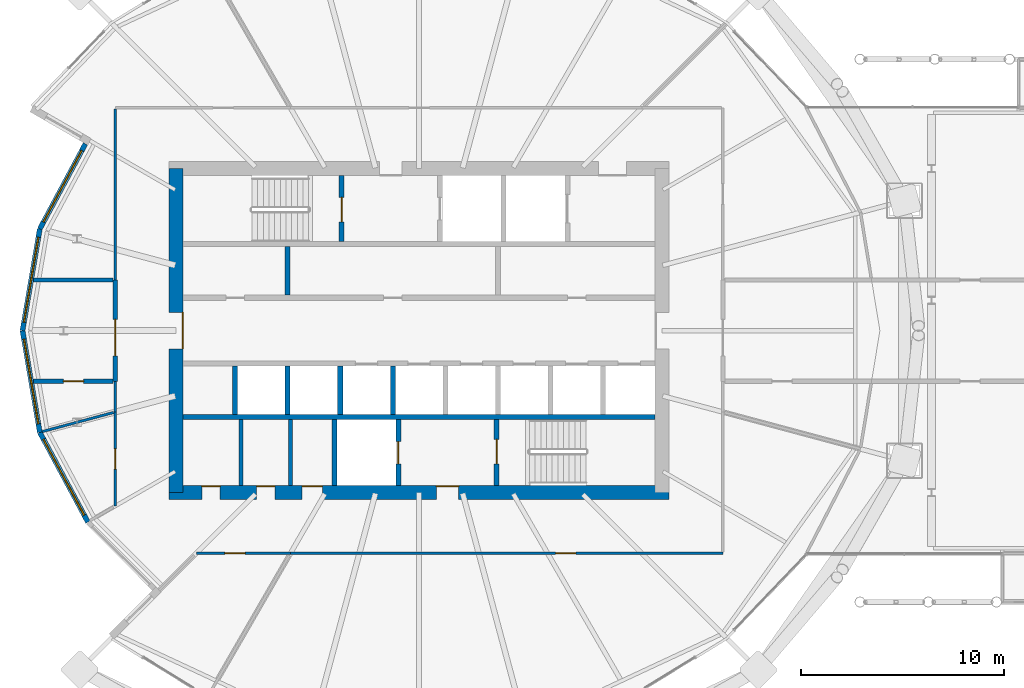
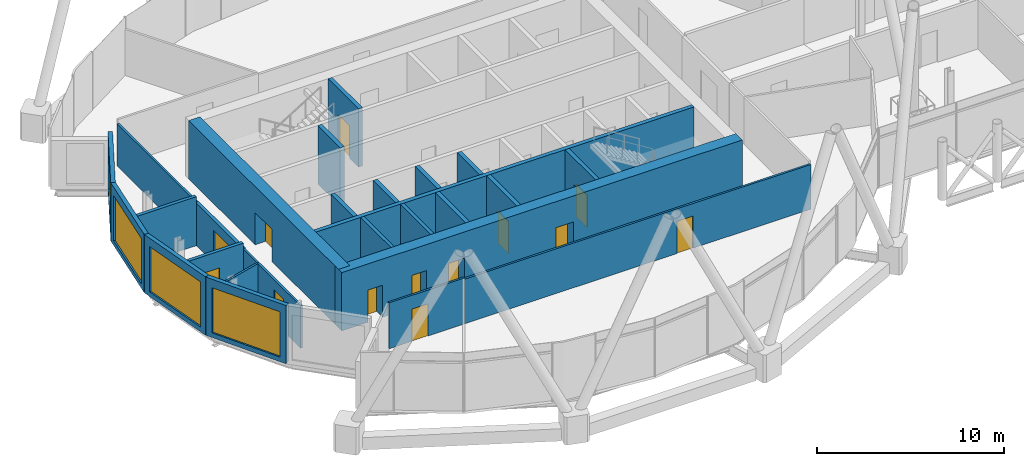
# One storey, part 24 of 35: 27 walls, 13 doors, 4 windows, 17 openings.
"""IFC4 building model written with IfcOpenShell, lengths in metres."""

from ifc_helpers import new_model, si_unit, direction, frame, frame_2d, origin, place, context, subcontext, project, spatial, rectangle, extrude, material, layer, layer_set, type_object, element, fill, save


model = new_model("IFC4")

# Units and contexts
model_context = context("Model", 3, precision=1e-05, world=origin(), true_north=direction((0.0, 1.0)))
body_context = subcontext(model_context, "Body", "Model", "MODEL_VIEW")
ifc_project = project(units=[si_unit("LENGTHUNIT", "METRE"), si_unit("AREAUNIT", "SQUARE_METRE"), si_unit("VOLUMEUNIT", "CUBIC_METRE"), si_unit("PLANEANGLEUNIT", "RADIAN"), si_unit("MASSUNIT", "GRAM", prefix="KILO")], contexts=[model_context])

# Site, building, storey
site_placement = place(None, origin())
site = spatial("IfcSite", under=ifc_project, at=site_placement, CompositionType="ELEMENT")
building_placement = place(site_placement, origin())
building = spatial("IfcBuilding", under=site, at=building_placement, Name="Rimbun Link Towers", CompositionType="ELEMENT")
storey_placement = place(building_placement, frame((0.0, 0.0, 146.800048828125)))
storey = spatial("IfcBuildingStorey", under=building, at=storey_placement, Name="L35", CompositionType="ELEMENT", Elevation=146.800048828125)

# Wall, opening, window
ifc_material_1 = material(Name="Dark enamelled glass spandrel on insulated aluminium backpan", Category="aluminium")
ifc_layer_1 = layer(ifc_material_1, 0.25)
ifc_layer_set_1 = layer_set([ifc_layer_1], Name="CS dark enamelled spandrel wall 250")
wall_type_1 = type_object("IfcWallType", Name="CS dark enamelled spandrel wall 250", PredefinedType="STANDARD", material=ifc_layer_set_1)
wall_1_placement = place(storey_placement, frame((-50.4755859375, 5.0263671875, 0.0), z_axis=(0.0, 0.0, 1.0), x_axis=(0.47248174368, 0.881340457422, 0.0)))
wall_1 = element("IfcWall", 1, at=wall_1_placement, inside=storey, type_object=wall_type_1, Name="Crease spandrel wall", PredefinedType="STANDARD", context=body_context, shape_type="SweptSolid", body=[
    extrude(rectangle(XDim=4.76220703125, YDim=0.25, at=frame_2d((2.381103515625, 0.0))), origin(), (0.0, 0.0, 1.0), 3.800048828125),
])
opening_1_placement = place(wall_1_placement, frame((0.381103515625, 0.0, 0.300048828125)))
opening_1 = element("IfcOpeningElement", 2, at=opening_1_placement, cuts=wall_1, Name="Opening WR40H295", PredefinedType="OPENING", context=body_context, shape_type="SweptSolid", body=[
    extrude(rectangle(XDim=4.0, YDim=2.949951171875, at=frame_2d((2.0, 1.47509765625))), frame((0.0, 0.135009765625, 0.0), z_axis=(0.0, -1.0, 0.0), x_axis=(1.0, 0.0, 0.0)), (0.0, 0.0, 1.0), 0.27001953125),
])
ifc_material_2 = material(Name="Aluminium framed fixed window, dark tinted low-e glass", Category="aluminium")
window_type_1 = type_object("IfcWindowType", Name="WR ribbon window 4000X2950", PartitioningType="SINGLE_PANEL", PredefinedType="WINDOW", material=ifc_material_2)
window_1_placement = place(opening_1_placement, origin())
window_1 = element("IfcWindow", 3, at=window_1_placement, inside=storey, type_object=window_type_1, Name="Crease ribbon window", OverallHeight=2.949951171875, OverallWidth=4.0, PartitioningType="SINGLE_PANEL", PredefinedType="WINDOW", context=body_context, shape_type="SweptSolid", body=[
    extrude(rectangle(XDim=4.0, YDim=2.949951171875, at=frame_2d((2.0, 1.47509765625))), frame((0.0, 0.030029296875, 0.0), z_axis=(0.0, -1.0, 0.0), x_axis=(1.0, 0.0, 0.0)), (0.0, 0.0, 1.0), 0.06005859375),
])
fill(opening_1, window_1)

wall_2_placement = place(storey_placement, frame((-51.330322265625, 0.0, 0.0), z_axis=(0.0, 0.0, 1.0), x_axis=(0.167643894896, 0.985847617284, 0.0)))
wall_2 = element("IfcWall", 4, at=wall_2_placement, inside=storey, type_object=wall_type_1, Name="Crease spandrel wall", PredefinedType="STANDARD", context=body_context, shape_type="SweptSolid", body=[
    extrude(rectangle(XDim=5.0986328125, YDim=0.25, at=frame_2d((2.54931640625, 0.0))), origin(), (0.0, 0.0, 1.0), 3.800048828125),
])
opening_2_placement = place(wall_2_placement, frame((0.42431640625, 0.0, 0.300048828125)))
opening_2 = element("IfcOpeningElement", 5, at=opening_2_placement, cuts=wall_2, Name="Opening WR42H295", PredefinedType="OPENING", context=body_context, shape_type="SweptSolid", body=[
    extrude(rectangle(XDim=4.25, YDim=2.949951171875, at=frame_2d((2.125, 1.47509765625))), frame((0.0, 0.135009765625, 0.0), z_axis=(0.0, -1.0, 0.0), x_axis=(1.0, 0.0, 0.0)), (0.0, 0.0, 1.0), 0.27001953125),
])
ifc_material_3 = material(Name="Aluminium framed fixed window, dark tinted low-e glass", Category="aluminium")
window_type_2 = type_object("IfcWindowType", Name="WR ribbon window 4250X2950", PartitioningType="SINGLE_PANEL", PredefinedType="WINDOW", material=ifc_material_3)
window_2_placement = place(opening_2_placement, origin())
window_2 = element("IfcWindow", 6, at=window_2_placement, inside=storey, type_object=window_type_2, Name="Crease ribbon window", OverallHeight=2.949951171875, OverallWidth=4.25, PartitioningType="SINGLE_PANEL", PredefinedType="WINDOW", context=body_context, shape_type="SweptSolid", body=[
    extrude(rectangle(XDim=4.25, YDim=2.949951171875, at=frame_2d((2.125, 1.47509765625))), frame((0.0, 0.030029296875, 0.0), z_axis=(0.0, -1.0, 0.0), x_axis=(1.0, 0.0, 0.0)), (0.0, 0.0, 1.0), 0.06005859375),
])
fill(opening_2, window_2)

wall_3_placement = place(storey_placement, frame((-50.4755859375, -5.0263671875, 0.0), z_axis=(0.0, 0.0, 1.0), x_axis=(-0.167643894896, 0.985847617284, 0.0)))
wall_3 = element("IfcWall", 7, at=wall_3_placement, inside=storey, type_object=wall_type_1, Name="Crease spandrel wall", PredefinedType="STANDARD", context=body_context, shape_type="SweptSolid", body=[
    extrude(rectangle(XDim=5.0986328125, YDim=0.25, at=frame_2d((2.54931640625, 0.0))), origin(), (0.0, 0.0, 1.0), 3.800048828125),
])
opening_3_placement = place(wall_3_placement, frame((0.42431640625, 0.0, 0.300048828125)))
opening_3 = element("IfcOpeningElement", 8, at=opening_3_placement, cuts=wall_3, Name="Opening WR42H295", PredefinedType="OPENING", context=body_context, shape_type="SweptSolid", body=[
    extrude(rectangle(XDim=4.25, YDim=2.949951171875, at=frame_2d((2.125, 1.47509765625))), frame((0.0, 0.135009765625, 0.0), z_axis=(0.0, -1.0, 0.0), x_axis=(1.0, 0.0, 0.0)), (0.0, 0.0, 1.0), 0.27001953125),
])
window_3_placement = place(opening_3_placement, origin())
window_3 = element("IfcWindow", 9, at=window_3_placement, inside=storey, type_object=window_type_2, Name="Crease ribbon window", OverallHeight=2.949951171875, OverallWidth=4.25, PartitioningType="SINGLE_PANEL", PredefinedType="WINDOW", context=body_context, shape_type="SweptSolid", body=[
    extrude(rectangle(XDim=4.25, YDim=2.949951171875, at=frame_2d((2.125, 1.47509765625))), frame((0.0, 0.030029296875, 0.0), z_axis=(0.0, -1.0, 0.0), x_axis=(1.0, 0.0, 0.0)), (0.0, 0.0, 1.0), 0.06005859375),
])
fill(opening_3, window_3)

wall_4_placement = place(storey_placement, frame((-48.1005859375, -9.45654296875, 0.0), z_axis=(0.0, 0.0, 1.0), x_axis=(-0.472482867298, 0.881339855056, 0.0)))
wall_4 = element("IfcWall", 10, at=wall_4_placement, inside=storey, type_object=wall_type_1, Name="Crease spandrel wall", PredefinedType="STANDARD", context=body_context, shape_type="SweptSolid", body=[
    extrude(rectangle(XDim=5.026611328125, YDim=0.25, at=frame_2d((2.51318359375, 0.0))), origin(), (0.0, 0.0, 1.0), 3.800048828125),
])
opening_4_placement = place(wall_4_placement, frame((0.38818359375, 0.0, 0.300048828125)))
opening_4 = element("IfcOpeningElement", 11, at=opening_4_placement, cuts=wall_4, Name="Opening WR42H295", PredefinedType="OPENING", context=body_context, shape_type="SweptSolid", body=[
    extrude(rectangle(XDim=4.25, YDim=2.949951171875, at=frame_2d((2.125, 1.47509765625))), frame((0.0, 0.135009765625, 0.0), z_axis=(0.0, -1.0, 0.0), x_axis=(1.0, 0.0, 0.0)), (0.0, 0.0, 1.0), 0.27001953125),
])
window_4_placement = place(opening_4_placement, origin())
window_4 = element("IfcWindow", 12, at=window_4_placement, inside=storey, type_object=window_type_2, Name="Crease ribbon window", OverallHeight=2.949951171875, OverallWidth=4.25, PartitioningType="SINGLE_PANEL", PredefinedType="WINDOW", context=body_context, shape_type="SweptSolid", body=[
    extrude(rectangle(XDim=4.25, YDim=2.949951171875, at=frame_2d((2.125, 1.47509765625))), frame((0.0, 0.030029296875, 0.0), z_axis=(0.0, -1.0, 0.0), x_axis=(1.0, 0.0, 0.0)), (0.0, 0.0, 1.0), 0.06005859375),
])
fill(opening_4, window_4)

# Walls
ifc_material_4 = material(Name="Masonry blockwork", Category="masonry")
ifc_layer_2 = layer(ifc_material_4, 0.199951171875)
ifc_layer_set_2 = layer_set([ifc_layer_2], Name="Core partition 200")
wall_type_2 = type_object("IfcWallType", Name="Core partition 200", PredefinedType="PARTITIONING", material=ifc_layer_set_2)
for number, where, z_axis, x_axis, name in (
    (13, (-40.550048828125, -4.39990234375, 0.0), (0.0, 0.0, 1.0), (0.0, -1.0, 0.0), "L35 T1 core wall C1"),
    (14, (-38.10009765625, -4.39990234375, 0.0), (0.0, 0.0, 1.0), (0.0, -1.0, 0.0), "L35 T1 core wall C2"),
):
    element("IfcWall", number, at=place(storey_placement, frame(where, z_axis=z_axis, x_axis=x_axis)), inside=storey, type_object=wall_type_2, Name=name, PredefinedType="PARTITIONING", context=body_context, shape_type="SweptSolid", body=[
        extrude(rectangle(XDim=3.25, YDim=0.199951171875, at=frame_2d((1.625, 0.0))), origin(), (0.0, 0.0, 1.0), 3.800048828125),
    ])

# Wall, openings, doors
ifc_material_5 = material(Name="Concrete C60/75", Category="concrete")
ifc_layer_3 = layer(ifc_material_5, 0.699951171875)
ifc_layer_set_3 = layer_set([ifc_layer_3], Name="Core shear wall 700")
wall_type_3 = type_object("IfcWallType", Name="Core shear wall 700", PredefinedType="SHEAR", material=ifc_layer_set_3)
wall_5_placement = place(storey_placement, frame((-44.10009765625, -8.0, 0.0), z_axis=(0.0, 0.0, 1.0), x_axis=(1.0, 0.0, 0.0)))
wall_5 = element("IfcWall", 15, at=wall_5_placement, inside=storey, type_object=wall_type_3, Name="L35 T1 core wall S", PredefinedType="SHEAR", context=body_context, shape_type="SweptSolid", body=[
    extrude(rectangle(XDim=24.7001953125, YDim=0.699951171875, at=frame_2d((12.35009765625, 0.0))), origin(), (0.0, 0.0, 1.0), 3.800048828125),
])
opening_5_placement = place(wall_5_placement, frame((13.199951171875, 0.0, 0.0)))
opening_5 = element("IfcOpeningElement", 16, at=opening_5_placement, cuts=wall_5, Name="Opening C1DCF01S", PredefinedType="OPENING", context=body_context, shape_type="SweptSolid", body=[
    extrude(rectangle(XDim=1.10009765625, YDim=2.10009765625, at=frame_2d((0.550048828125, 1.050048828125))), frame((0.0, 0.35986328125, 0.0), z_axis=(0.0, -1.0, 0.0), x_axis=(1.0, 0.0, 0.0)), (0.0, 0.0, 1.0), 0.719970703125),
])
opening_6_placement = place(wall_5_placement, frame((1.625, 0.0, 0.0)))
opening_6 = element("IfcOpeningElement", 17, at=opening_6_placement, cuts=wall_5, Name="Opening C1DWC02S", PredefinedType="OPENING", context=body_context, shape_type="SweptSolid", body=[
    extrude(rectangle(XDim=0.89990234375, YDim=2.10009765625, at=frame_2d((0.449951171875, 1.050048828125))), frame((0.0, 0.35986328125, 0.0), z_axis=(0.0, -1.0, 0.0), x_axis=(1.0, 0.0, 0.0)), (0.0, 0.0, 1.0), 0.719970703125),
])
opening_7_placement = place(wall_5_placement, frame((4.324951171875, 0.0, 0.0)))
opening_7 = element("IfcOpeningElement", 18, at=opening_7_placement, cuts=wall_5, Name="Opening C1DWC03S", PredefinedType="OPENING", context=body_context, shape_type="SweptSolid", body=[
    extrude(rectangle(XDim=0.89990234375, YDim=2.10009765625, at=frame_2d((0.449951171875, 1.050048828125))), frame((0.0, 0.35986328125, 0.0), z_axis=(0.0, -1.0, 0.0), x_axis=(1.0, 0.0, 0.0)), (0.0, 0.0, 1.0), 0.719970703125),
])
opening_8_placement = place(wall_5_placement, frame((6.574951171875, 0.0, 0.0)))
opening_8 = element("IfcOpeningElement", 19, at=opening_8_placement, cuts=wall_5, Name="Opening C1DAW04S", PredefinedType="OPENING", context=body_context, shape_type="SweptSolid", body=[
    extrude(rectangle(XDim=1.0, YDim=2.10009765625, at=frame_2d((0.5, 1.050048828125))), frame((0.0, 0.35986328125, 0.0), z_axis=(0.0, -1.0, 0.0), x_axis=(1.0, 0.0, 0.0)), (0.0, 0.0, 1.0), 0.719970703125),
])
ifc_material_6 = material(Name="Timber", Category="wood")
door_type_1 = type_object("IfcDoorType", Name="Accessible WC door", OperationType="SINGLE_SWING_LEFT", PredefinedType="DOOR", material=ifc_material_6)
door_1_placement = place(opening_8_placement, origin())
door_1 = element("IfcDoor", 20, at=door_1_placement, inside=storey, type_object=door_type_1, Name="L35 T1 accessible wc door", OperationType="SINGLE_SWING_RIGHT", OverallHeight=2.10009765625, OverallWidth=1.0, PredefinedType="DOOR", context=body_context, shape_type="SweptSolid", body=[
    extrude(rectangle(XDim=1.0, YDim=2.10009765625, at=frame_2d((0.5, 1.050048828125))), frame((0.0, 0.35009765625, 0.0), z_axis=(0.0, -1.0, 0.0), x_axis=(1.0, 0.0, 0.0)), (0.0, 0.0, 1.0), 0.050048828125),
])
fill(opening_8, door_1)
ifc_material_7 = material(Name="Steel fire door set", Category="steel")
door_type_2 = type_object("IfcDoorType", Name="Core fire door single", OperationType="SINGLE_SWING_LEFT", PredefinedType="DOOR", material=ifc_material_7)
door_2_placement = place(opening_5_placement, origin())
door_2 = element("IfcDoor", 21, at=door_2_placement, inside=storey, type_object=door_type_2, Name="L35 T1 firefighting lobby s door", OperationType="SINGLE_SWING_RIGHT", OverallHeight=2.10009765625, OverallWidth=1.10009765625, PredefinedType="DOOR", context=body_context, shape_type="SweptSolid", body=[
    extrude(rectangle(XDim=1.10009765625, YDim=2.10009765625, at=frame_2d((0.550048828125, 1.050048828125))), frame((0.0, 0.35009765625, 0.0), z_axis=(0.0, -1.0, 0.0), x_axis=(1.0, 0.0, 0.0)), (0.0, 0.0, 1.0), 0.050048828125),
])
fill(opening_5, door_2)
ifc_material_8 = material(Name="Timber", Category="wood")
door_type_3 = type_object("IfcDoorType", Name="WC door", OperationType="SINGLE_SWING_LEFT", PredefinedType="DOOR", material=ifc_material_8)
door_3_placement = place(opening_6_placement, origin())
door_3 = element("IfcDoor", 22, at=door_3_placement, inside=storey, type_object=door_type_3, Name="L35 T1 male wc door", OperationType="SINGLE_SWING_RIGHT", OverallHeight=2.10009765625, OverallWidth=0.89990234375, PredefinedType="DOOR", context=body_context, shape_type="SweptSolid", body=[
    extrude(rectangle(XDim=0.89990234375, YDim=2.10009765625, at=frame_2d((0.449951171875, 1.050048828125))), frame((0.0, 0.35009765625, 0.0), z_axis=(0.0, -1.0, 0.0), x_axis=(1.0, 0.0, 0.0)), (0.0, 0.0, 1.0), 0.050048828125),
])
fill(opening_6, door_3)
door_4_placement = place(opening_7_placement, origin())
door_4 = element("IfcDoor", 23, at=door_4_placement, inside=storey, type_object=door_type_3, Name="L35 T1 female wc door", OperationType="SINGLE_SWING_RIGHT", OverallHeight=2.10009765625, OverallWidth=0.89990234375, PredefinedType="DOOR", context=body_context, shape_type="SweptSolid", body=[
    extrude(rectangle(XDim=0.89990234375, YDim=2.10009765625, at=frame_2d((0.449951171875, 1.050048828125))), frame((0.0, 0.35009765625, 0.0), z_axis=(0.0, -1.0, 0.0), x_axis=(1.0, 0.0, 0.0)), (0.0, 0.0, 1.0), 0.050048828125),
])
fill(opening_7, door_4)

# Wall, opening, door
wall_6_placement = place(storey_placement, frame((-43.75, -8.0, 0.0), z_axis=(0.0, 0.0, 1.0), x_axis=(0.0, 1.0, 0.0)))
wall_6 = element("IfcWall", 24, at=wall_6_placement, inside=storey, type_object=wall_type_3, Name="L35 T1 core wall W", PredefinedType="SHEAR", context=body_context, shape_type="SweptSolid", body=[
    extrude(rectangle(XDim=16.0, YDim=0.699951171875, at=frame_2d((8.0, 0.0))), origin(), (0.0, 0.0, 1.0), 3.800048828125),
])
opening_9_placement = place(wall_6_placement, frame((7.10009765625, 0.0, 0.0)))
opening_9 = element("IfcOpeningElement", 25, at=opening_9_placement, cuts=wall_6, Name="Opening C1DCL01W", PredefinedType="OPENING", context=body_context, shape_type="SweptSolid", body=[
    extrude(rectangle(XDim=1.800048828125, YDim=2.10009765625, at=frame_2d((0.89990234375, 1.050048828125))), frame((0.0, 0.35986328125, 0.0), z_axis=(0.0, -1.0, 0.0), x_axis=(1.0, 0.0, 0.0)), (0.0, 0.0, 1.0), 0.719970703125),
])
ifc_material_9 = material(Name="Steel fire door set", Category="steel")
door_type_4 = type_object("IfcDoorType", Name="Core lobby door double", OperationType="DOUBLE_DOOR_SINGLE_SWING", PredefinedType="DOOR", material=ifc_material_9)
door_5_placement = place(opening_9_placement, origin())
door_5 = element("IfcDoor", 26, at=door_5_placement, inside=storey, type_object=door_type_4, Name="L35 T1 lift lobby door", OperationType="DOUBLE_DOOR_SINGLE_SWING", OverallHeight=2.10009765625, OverallWidth=1.800048828125, PredefinedType="DOOR", context=body_context, shape_type="SweptSolid", body=[
    extrude(rectangle(XDim=1.800048828125, YDim=2.10009765625, at=frame_2d((0.89990234375, 1.050048828125))), frame((0.0, -0.2998046875, 0.0), z_axis=(0.0, -1.0, 0.0), x_axis=(1.0, 0.0, 0.0)), (0.0, 0.0, 1.0), 0.050048828125),
])
fill(opening_9, door_5)

ifc_material_10 = material(Name="Concrete blockwork", Category="masonry")
ifc_layer_4 = layer(ifc_material_10, 0.199951171875)
ifc_layer_set_4 = layer_set([ifc_layer_4], Name="Fire partition 200 blockwork")
wall_type_4 = type_object("IfcWallType", Name="Fire partition 200 blockwork", PredefinedType="PARTITIONING", material=ifc_layer_set_4)
wall_7_placement = place(storey_placement, frame((-46.75, 2.5, 0.0), z_axis=(0.0, 0.0, 1.0), x_axis=(0.0, -1.0, 0.0)))
wall_7 = element("IfcWall", 27, at=wall_7_placement, inside=storey, type_object=wall_type_4, Name="TW/PW/L35/006", PredefinedType="PARTITIONING", context=body_context, shape_type="SweptSolid", body=[
    extrude(rectangle(XDim=5.0, YDim=0.199951171875, at=frame_2d((2.5, 0.0))), origin(), (0.0, 0.0, 1.0), 2.759033203125),
])
opening_10_placement = place(wall_7_placement, frame((1.945068359375, 0.0, 0.0)))
opening_10 = element("IfcOpeningElement", 28, at=opening_10_placement, cuts=wall_7, Name="Opening TW D35.24", PredefinedType="OPENING", context=body_context, shape_type="SweptSolid", body=[
    extrude(rectangle(XDim=1.800048828125, YDim=2.10009765625, at=frame_2d((0.89990234375, 1.050048828125))), frame((0.0, 0.10986328125, 0.0), z_axis=(0.0, -1.0, 0.0), x_axis=(1.0, 0.0, 0.0)), (0.0, 0.0, 1.0), 0.219970703125),
])
ifc_material_11 = material(Name="Steel fire door set", Category="steel")
door_type_5 = type_object("IfcDoorType", Name="Fire door double leaf 1800 x 2100", OperationType="NOTDEFINED", PredefinedType="DOOR", material=ifc_material_11)
door_6_placement = place(opening_10_placement, origin())
door_6 = element("IfcDoor", 29, at=door_6_placement, inside=storey, type_object=door_type_5, Name="TW/DR/L35/024", OperationType="DOUBLE_DOOR_SINGLE_SWING", OverallHeight=2.10009765625, OverallWidth=1.800048828125, PredefinedType="DOOR", context=body_context, shape_type="SweptSolid", body=[
    extrude(rectangle(XDim=1.800048828125, YDim=2.10009765625, at=frame_2d((0.89990234375, 1.050048828125))), frame((0.0, 0.02490234375, 0.0), z_axis=(0.0, -1.0, 0.0), x_axis=(1.0, 0.0, 0.0)), (0.0, 0.0, 1.0), 0.050048828125),
])
fill(opening_10, door_6)

wall_8_placement = place(storey_placement, frame((-50.7783203125, -2.5, 0.0), z_axis=(0.0, 0.0, 1.0), x_axis=(1.0, 0.0, 0.0)))
wall_8 = element("IfcWall", 30, at=wall_8_placement, inside=storey, type_object=wall_type_4, Name="TW/PW/L35/022", PredefinedType="PARTITIONING", context=body_context, shape_type="SweptSolid", body=[
    extrude(rectangle(XDim=3.92822265625, YDim=0.199951171875, at=frame_2d((1.964111328125, 0.0))), origin(), (0.0, 0.0, 1.0), 3.19384765625),
])
opening_11_placement = place(wall_8_placement, frame((1.464111328125, 0.0, 0.0)))
opening_11 = element("IfcOpeningElement", 31, at=opening_11_placement, cuts=wall_8, Name="Opening TW D35.07", PredefinedType="OPENING", context=body_context, shape_type="SweptSolid", body=[
    extrude(rectangle(XDim=1.0, YDim=2.10009765625, at=frame_2d((0.5, 1.050048828125))), frame((0.0, 0.10986328125, 0.0), z_axis=(0.0, -1.0, 0.0), x_axis=(1.0, 0.0, 0.0)), (0.0, 0.0, 1.0), 0.219970703125),
])
ifc_material_12 = material(Name="Steel fire door set", Category="steel")
door_type_6 = type_object("IfcDoorType", Name="Fire door single leaf 1000 x 2100", OperationType="NOTDEFINED", PredefinedType="DOOR", material=ifc_material_12)
door_7_placement = place(opening_11_placement, origin())
door_7 = element("IfcDoor", 32, at=door_7_placement, inside=storey, type_object=door_type_6, Name="TW/DR/L35/007", OperationType="SINGLE_SWING_RIGHT", OverallHeight=2.10009765625, OverallWidth=1.0, PredefinedType="DOOR", context=body_context, shape_type="SweptSolid", body=[
    extrude(rectangle(XDim=1.0, YDim=2.10009765625, at=frame_2d((0.5, 1.050048828125))), frame((0.0, 0.02490234375, 0.0), z_axis=(0.0, -1.0, 0.0), x_axis=(1.0, 0.0, 0.0)), (0.0, 0.0, 1.0), 0.050048828125),
])
fill(opening_11, door_7)

# Wall
wall_9_placement = place(storey_placement, frame((-46.85009765625, 2.5, 0.0), z_axis=(0.0, 0.0, 1.0), x_axis=(-1.0, 0.0, 0.0)))
element("IfcWall", 33, at=wall_9_placement, inside=storey, type_object=wall_type_4, Name="TW/PW/L35/023", PredefinedType="PARTITIONING", context=body_context, shape_type="SweptSolid", body=[
    extrude(rectangle(XDim=3.92822265625, YDim=0.199951171875, at=frame_2d((1.964111328125, 0.0))), origin(), (0.0, 0.0, 1.0), 3.19384765625),
])

# Wall, opening, door
ifc_material_13 = material(Name="Gypsum board on steel studs", Category="steel")
ifc_layer_5 = layer(ifc_material_13, 0.125)
ifc_layer_set_5 = layer_set([ifc_layer_5], Name="Partition 125 board on studs")
wall_type_5 = type_object("IfcWallType", Name="Partition 125 board on studs", PredefinedType="PARTITIONING", material=ifc_layer_set_5)
wall_10_placement = place(storey_placement, frame((-46.75, -4.019287109375, 0.0), z_axis=(0.0, 0.0, 1.0), x_axis=(0.0, -1.0, 0.0)))
wall_10 = element("IfcWall", 34, at=wall_10_placement, inside=storey, type_object=wall_type_5, Name="TW/PW/L35/007", PredefinedType="PARTITIONING", context=body_context, shape_type="SweptSolid", body=[
    extrude(rectangle(XDim=4.64111328125, YDim=0.125, at=frame_2d((2.320556640625, 0.0))), origin(), (0.0, 0.0, 1.0), 2.759033203125),
])
opening_12_placement = place(wall_10_placement, frame((1.821044921875, 0.0, 0.0)))
opening_12 = element("IfcOpeningElement", 35, at=opening_12_placement, cuts=wall_10, Name="Opening TW D35.01", PredefinedType="OPENING", context=body_context, shape_type="SweptSolid", body=[
    extrude(rectangle(XDim=1.0, YDim=2.10009765625, at=frame_2d((0.5, 1.050048828125))), frame((0.0, 0.072509765625, 0.0), z_axis=(0.0, -1.0, 0.0), x_axis=(1.0, 0.0, 0.0)), (0.0, 0.0, 1.0), 0.14501953125),
])
ifc_material_14 = material(Name="Timber door set", Category="wood")
door_type_7 = type_object("IfcDoorType", Name="Door single leaf 1000 x 2100", OperationType="NOTDEFINED", PredefinedType="DOOR", material=ifc_material_14)
door_8_placement = place(opening_12_placement, origin())
door_8 = element("IfcDoor", 36, at=door_8_placement, inside=storey, type_object=door_type_7, Name="TW/DR/L35/001", OperationType="SINGLE_SWING_RIGHT", OverallHeight=2.10009765625, OverallWidth=1.0, PredefinedType="DOOR", context=body_context, shape_type="SweptSolid", body=[
    extrude(rectangle(XDim=1.0, YDim=2.10009765625, at=frame_2d((0.5, 1.050048828125))), frame((0.0, 0.02490234375, 0.0), z_axis=(0.0, -1.0, 0.0), x_axis=(1.0, 0.0, 0.0)), (0.0, 0.0, 1.0), 0.050048828125),
])
fill(opening_12, door_8)

wall_11_placement = place(storey_placement, frame((-42.75, -11.0, 0.0), z_axis=(0.0, 0.0, 1.0), x_axis=(1.0, 0.0, 0.0)))
wall_11 = element("IfcWall", 37, at=wall_11_placement, inside=storey, type_object=wall_type_5, Name="TW/PW/L35/009", PredefinedType="PARTITIONING", context=body_context, shape_type="SweptSolid", body=[
    extrude(rectangle(XDim=4.649169921875, YDim=0.125, at=frame_2d((2.32470703125, 0.0))), origin(), (0.0, 0.0, 1.0), 2.9970703125),
])
opening_13_placement = place(wall_11_placement, frame((1.412109375, 0.0, 0.0)))
opening_13 = element("IfcOpeningElement", 38, at=opening_13_placement, cuts=wall_11, Name="Opening TW D35.02", PredefinedType="OPENING", context=body_context, shape_type="SweptSolid", body=[
    extrude(rectangle(XDim=1.0, YDim=2.10009765625, at=frame_2d((0.5, 1.050048828125))), frame((0.0, 0.072509765625, 0.0), z_axis=(0.0, -1.0, 0.0), x_axis=(1.0, 0.0, 0.0)), (0.0, 0.0, 1.0), 0.14501953125),
])
door_9_placement = place(opening_13_placement, origin())
door_9 = element("IfcDoor", 39, at=door_9_placement, inside=storey, type_object=door_type_7, Name="TW/DR/L35/002", OperationType="SINGLE_SWING_LEFT", OverallHeight=2.10009765625, OverallWidth=1.0, PredefinedType="DOOR", context=body_context, shape_type="SweptSolid", body=[
    extrude(rectangle(XDim=1.0, YDim=2.10009765625, at=frame_2d((0.5, 1.050048828125))), frame((0.0, 0.02490234375, 0.0), z_axis=(0.0, -1.0, 0.0), x_axis=(1.0, 0.0, 0.0)), (0.0, 0.0, 1.0), 0.050048828125),
])
fill(opening_13, door_9)

wall_12_placement = place(storey_placement, frame((-38.100830078125, -11.0, 0.0), z_axis=(0.0, 0.0, 1.0), x_axis=(1.0, 0.0, 0.0)))
wall_12 = element("IfcWall", 40, at=wall_12_placement, inside=storey, type_object=wall_type_5, Name="TW/PW/L35/011", PredefinedType="PARTITIONING", context=body_context, shape_type="SweptSolid", body=[
    extrude(rectangle(XDim=21.350830078125, YDim=0.125, at=frame_2d((10.67529296875, 0.0))), origin(), (0.0, 0.0, 1.0), 2.916015625),
])
opening_14_placement = place(wall_12_placement, frame((13.093017578125, 0.0, 0.0)))
opening_14 = element("IfcOpeningElement", 41, at=opening_14_placement, cuts=wall_12, Name="Opening TW D35.03", PredefinedType="OPENING", context=body_context, shape_type="SweptSolid", body=[
    extrude(rectangle(XDim=1.0, YDim=2.10009765625, at=frame_2d((0.5, 1.050048828125))), frame((0.0, 0.072509765625, 0.0), z_axis=(0.0, -1.0, 0.0), x_axis=(1.0, 0.0, 0.0)), (0.0, 0.0, 1.0), 0.14501953125),
])
door_10_placement = place(opening_14_placement, origin())
door_10 = element("IfcDoor", 42, at=door_10_placement, inside=storey, type_object=door_type_7, Name="TW/DR/L35/003", OperationType="SINGLE_SWING_RIGHT", OverallHeight=2.10009765625, OverallWidth=1.0, PredefinedType="DOOR", context=body_context, shape_type="SweptSolid", body=[
    extrude(rectangle(XDim=1.0, YDim=2.10009765625, at=frame_2d((0.5, 1.050048828125))), frame((0.0, 0.02490234375, 0.0), z_axis=(0.0, -1.0, 0.0), x_axis=(1.0, 0.0, 0.0)), (0.0, 0.0, 1.0), 0.050048828125),
])
fill(opening_14, door_10)

# Walls
wall_13_placement = place(storey_placement, frame((-46.75, -2.5, 0.0), z_axis=(0.0, 0.0, 1.0), x_axis=(0.0, -1.0, 0.0)))
element("IfcWall", 43, at=wall_13_placement, inside=storey, type_object=wall_type_5, Name="TW/PW/L35/017", PredefinedType="PARTITIONING", context=body_context, shape_type="SweptSolid", body=[
    extrude(rectangle(XDim=1.519287109375, YDim=0.125, at=frame_2d((0.759765625, 0.0))), origin(), (0.0, 0.0, 1.0), 2.759033203125),
])
wall_14_placement = place(storey_placement, frame((-46.75, 10.9375, 0.0), z_axis=(0.0, 0.0, 1.0), x_axis=(0.0, -1.0, 0.0)))
element("IfcWall", 44, at=wall_14_placement, inside=storey, type_object=wall_type_5, Name="TW/PW/L35/019", PredefinedType="PARTITIONING", context=body_context, shape_type="SweptSolid", body=[
    extrude(rectangle(XDim=8.4375, YDim=0.125, at=frame_2d((4.21875, 0.0))), origin(), (0.0, 0.0, 1.0), 2.759033203125),
])
wall_15_placement = place(storey_placement, frame((-46.82861328125, -4.040283203125, 0.0), z_axis=(0.0, 0.0, 1.0), x_axis=(-0.965926862329, -0.25881517852, 0.0)))
element("IfcWall", 45, at=wall_15_placement, inside=storey, type_object=wall_type_5, Name="TW/PW/L35/024", PredefinedType="PARTITIONING", context=body_context, shape_type="SweptSolid", body=[
    extrude(rectangle(XDim=3.651611328125, YDim=0.125, at=frame_2d((1.82568359375, 0.0))), origin(), (0.0, 0.0, 1.0), 2.759033203125),
])
ifc_material_15 = material(Name="Concrete C60/75", Category="concrete")
ifc_layer_6 = layer(ifc_material_15, 0.25)
ifc_layer_set_6 = layer_set([ifc_layer_6], Name="Shaft wall 250")
wall_type_6 = type_object("IfcWallType", Name="Shaft wall 250", PredefinedType="SHEAR", material=ifc_layer_set_6)
wall_16_placement = place(storey_placement, frame((-43.39990234375, -4.27490234375, 0.0), z_axis=(0.0, 0.0, 1.0), x_axis=(1.0, 0.0, 0.0)))
element("IfcWall", 46, at=wall_16_placement, inside=storey, type_object=wall_type_6, Name="L35 T1 core wall BS", PredefinedType="SHEAR", context=body_context, shape_type="SweptSolid", body=[
    extrude(rectangle(XDim=23.2998046875, YDim=0.25, at=frame_2d((11.64990234375, 0.0))), origin(), (0.0, 0.0, 1.0), 3.800048828125),
])
for number, where, z_axis, x_axis, name in (
    (47, (-38.236083984375, 1.75, 0.0), (0.0, 0.0, 1.0), (0.0, 1.0, 0.0), "L35 T1 core wall DN1"),
    (48, (-40.83056640625, -4.14990234375, 0.0), (0.0, 0.0, 1.0), (0.0, 1.0, 0.0), "L35 T1 core wall DS0"),
    (49, (-38.236083984375, -4.14990234375, 0.0), (0.0, 0.0, 1.0), (0.0, 1.0, 0.0), "L35 T1 core wall DS1"),
    (50, (-35.6416015625, -4.14990234375, 0.0), (0.0, 0.0, 1.0), (0.0, 1.0, 0.0), "L35 T1 core wall DS2"),
    (51, (-33.047119140625, -4.14990234375, 0.0), (0.0, 0.0, 1.0), (0.0, 1.0, 0.0), "L35 T1 core wall DS3"),
):
    element("IfcWall", number, at=place(storey_placement, frame(where, z_axis=z_axis, x_axis=x_axis)), inside=storey, type_object=wall_type_6, Name=name, PredefinedType="SHEAR", context=body_context, shape_type="SweptSolid", body=[
        extrude(rectangle(XDim=2.39990234375, YDim=0.25, at=frame_2d((1.199951171875, 0.0))), origin(), (0.0, 0.0, 1.0), 3.800048828125),
    ])

# Wall, opening, door
wall_17_placement = place(storey_placement, frame((-35.574951171875, 4.39990234375, 0.0), z_axis=(0.0, 0.0, 1.0), x_axis=(0.0, 1.0, 0.0)))
wall_17 = element("IfcWall", 52, at=wall_17_placement, inside=storey, type_object=wall_type_6, Name="L35 T1 core wall A1", PredefinedType="SHEAR", context=body_context, shape_type="SweptSolid", body=[
    extrude(rectangle(XDim=3.25, YDim=0.25, at=frame_2d((1.625, 0.0))), origin(), (0.0, 0.0, 1.0), 3.800048828125),
])
opening_15_placement = place(wall_17_placement, frame((0.97509765625, 0.0, 0.0)))
opening_15 = element("IfcOpeningElement", 53, at=opening_15_placement, cuts=wall_17, Name="Opening C1DST01A1", PredefinedType="OPENING", context=body_context, shape_type="SweptSolid", body=[
    extrude(rectangle(XDim=1.199951171875, YDim=2.10009765625, at=frame_2d((0.60009765625, 1.050048828125))), frame((0.0, 0.135009765625, 0.0), z_axis=(0.0, -1.0, 0.0), x_axis=(1.0, 0.0, 0.0)), (0.0, 0.0, 1.0), 0.27001953125),
])
ifc_material_16 = material(Name="Steel fire door set", Category="steel")
door_type_8 = type_object("IfcDoorType", Name="Stair door", OperationType="SINGLE_SWING_LEFT", PredefinedType="DOOR", material=ifc_material_16)
door_11_placement = place(opening_15_placement, origin())
door_11 = element("IfcDoor", 54, at=door_11_placement, inside=storey, type_object=door_type_8, Name="L35 T1 stair a door", OperationType="SINGLE_SWING_RIGHT", OverallHeight=2.10009765625, OverallWidth=1.199951171875, PredefinedType="DOOR", context=body_context, shape_type="SweptSolid", body=[
    extrude(rectangle(XDim=1.199951171875, YDim=2.10009765625, at=frame_2d((0.60009765625, 1.050048828125))), frame((0.0, 0.02490234375, 0.0), z_axis=(0.0, -1.0, 0.0), x_axis=(1.0, 0.0, 0.0)), (0.0, 0.0, 1.0), 0.050048828125),
])
fill(opening_15, door_11)

wall_18_placement = place(storey_placement, frame((-27.925048828125, -4.39990234375, 0.0), z_axis=(0.0, 0.0, 1.0), x_axis=(0.0, -1.0, 0.0)))
wall_18 = element("IfcWall", 55, at=wall_18_placement, inside=storey, type_object=wall_type_6, Name="L35 T1 core wall B1", PredefinedType="SHEAR", context=body_context, shape_type="SweptSolid", body=[
    extrude(rectangle(XDim=3.25, YDim=0.25, at=frame_2d((1.625, 0.0))), origin(), (0.0, 0.0, 1.0), 3.800048828125),
])
opening_16_placement = place(wall_18_placement, frame((0.97509765625, 0.0, 0.0)))
opening_16 = element("IfcOpeningElement", 56, at=opening_16_placement, cuts=wall_18, Name="Opening C1DST01B1", PredefinedType="OPENING", context=body_context, shape_type="SweptSolid", body=[
    extrude(rectangle(XDim=1.199951171875, YDim=2.10009765625, at=frame_2d((0.60009765625, 1.050048828125))), frame((0.0, 0.135009765625, 0.0), z_axis=(0.0, -1.0, 0.0), x_axis=(1.0, 0.0, 0.0)), (0.0, 0.0, 1.0), 0.27001953125),
])
door_12_placement = place(opening_16_placement, origin())
door_12 = element("IfcDoor", 57, at=door_12_placement, inside=storey, type_object=door_type_8, Name="L35 T1 stair b door", OperationType="SINGLE_SWING_RIGHT", OverallHeight=2.10009765625, OverallWidth=1.199951171875, PredefinedType="DOOR", context=body_context, shape_type="SweptSolid", body=[
    extrude(rectangle(XDim=1.199951171875, YDim=2.10009765625, at=frame_2d((0.60009765625, 1.050048828125))), frame((0.0, 0.02490234375, 0.0), z_axis=(0.0, -1.0, 0.0), x_axis=(1.0, 0.0, 0.0)), (0.0, 0.0, 1.0), 0.050048828125),
])
fill(opening_16, door_12)

wall_19_placement = place(storey_placement, frame((-32.77490234375, -4.39990234375, 0.0), z_axis=(0.0, 0.0, 1.0), x_axis=(0.0, -1.0, 0.0)))
wall_19 = element("IfcWall", 58, at=wall_19_placement, inside=storey, type_object=wall_type_6, Name="L35 T1 core wall B2", PredefinedType="SHEAR", context=body_context, shape_type="SweptSolid", body=[
    extrude(rectangle(XDim=3.25, YDim=0.25, at=frame_2d((1.625, 0.0))), origin(), (0.0, 0.0, 1.0), 3.800048828125),
])
opening_17_placement = place(wall_19_placement, frame((1.074951171875, 0.0, 0.0)))
opening_17 = element("IfcOpeningElement", 59, at=opening_17_placement, cuts=wall_19, Name="Opening LD-T1-FF2", PredefinedType="OPENING", context=body_context, shape_type="SweptSolid", body=[
    extrude(rectangle(XDim=1.10009765625, YDim=2.10009765625, at=frame_2d((0.550048828125, 1.050048828125))), frame((0.0, 0.135009765625, 0.0), z_axis=(0.0, -1.0, 0.0), x_axis=(1.0, 0.0, 0.0)), (0.0, 0.0, 1.0), 0.27001953125),
])
ifc_material_17 = material(Name="Stainless steel grade 316", Category="steel")
door_type_9 = type_object("IfcDoorType", Name="Lift landing door", OperationType="DOUBLE_DOOR_SLIDING", PredefinedType="DOOR", material=ifc_material_17)
door_13_placement = place(opening_17_placement, origin())
door_13 = element("IfcDoor", 60, at=door_13_placement, inside=storey, type_object=door_type_9, Name="L35 T1 lift FF2 landing door", OperationType="DOUBLE_DOOR_SLIDING", OverallHeight=2.10009765625, OverallWidth=1.10009765625, PredefinedType="DOOR", context=body_context, shape_type="SweptSolid", body=[
    extrude(rectangle(XDim=1.10009765625, YDim=2.10009765625, at=frame_2d((0.550048828125, 1.050048828125))), frame((0.0, 0.02490234375, 0.0), z_axis=(0.0, -1.0, 0.0), x_axis=(1.0, 0.0, 0.0)), (0.0, 0.0, 1.0), 0.050048828125),
])
fill(opening_17, door_13)

# Wall
wall_20_placement = place(storey_placement, frame((-35.925048828125, -4.39990234375, 0.0), z_axis=(0.0, 0.0, 1.0), x_axis=(0.0, -1.0, 0.0)))
element("IfcWall", 61, at=wall_20_placement, inside=storey, type_object=wall_type_6, Name="L35 T1 core wall B3", PredefinedType="SHEAR", context=body_context, shape_type="SweptSolid", body=[
    extrude(rectangle(XDim=3.25, YDim=0.25, at=frame_2d((1.625, 0.0))), origin(), (0.0, 0.0, 1.0), 3.800048828125),
])

save(model, "model.ifc")
